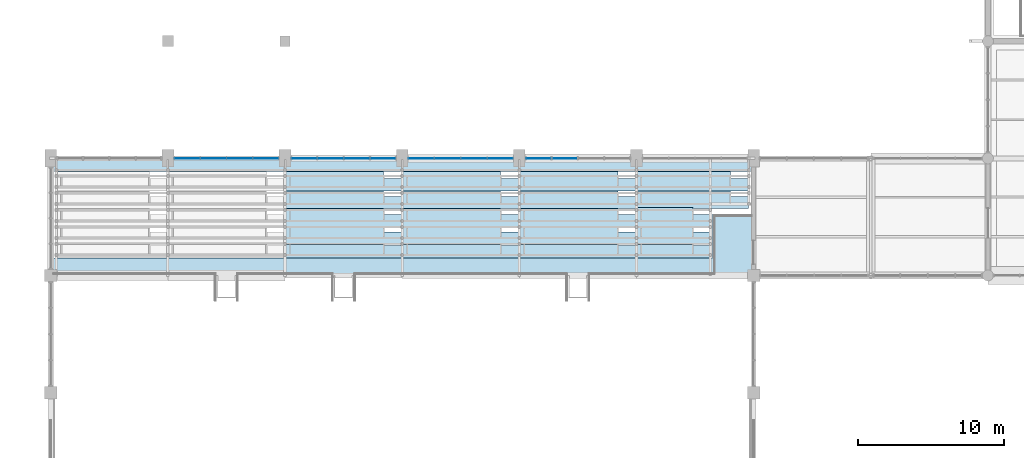
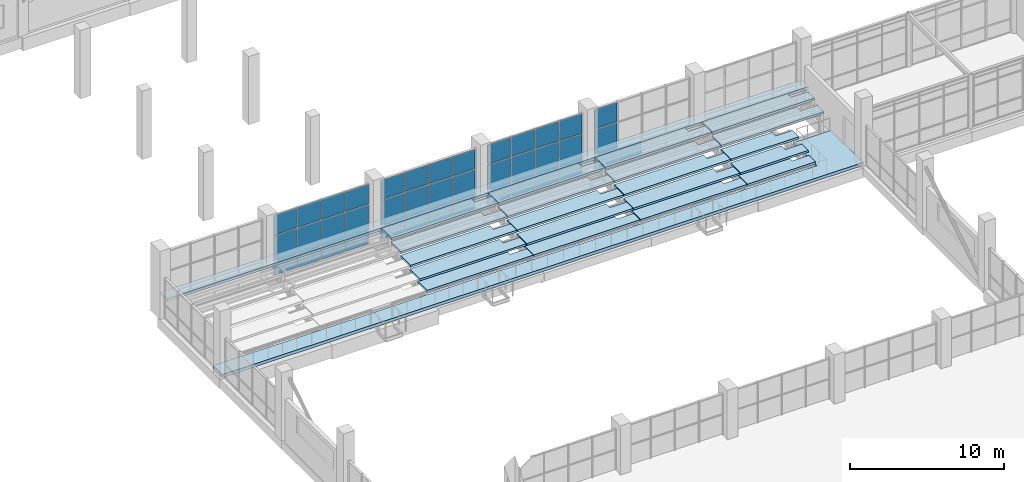
# One storey, part 72 of 122: 40 plates, 22 slabs, 4 elements without a shape of their own.
"""IFC4 building model written with IfcOpenShell, lengths in metres."""

from ifc_helpers import new_model, si_unit, direction, frame, origin, origin_2d, place, context, subcontext, project, spatial, polyline, rectangle, outline, extrude, material, layer, layer_set, type_object, element, aggregate, save


model = new_model("IFC4")

# Units and contexts
model_context = context("Model", 3, precision=1e-05, world=origin(), true_north=direction((0.0, 1.0)))
body_context = subcontext(model_context, "Body", "Model", "MODEL_VIEW")
ifc_project = project(units=[si_unit("LENGTHUNIT", "METRE"), si_unit("AREAUNIT", "SQUARE_METRE"), si_unit("VOLUMEUNIT", "CUBIC_METRE"), si_unit("PLANEANGLEUNIT", "RADIAN"), si_unit("MASSUNIT", "GRAM", prefix="KILO")], contexts=[model_context])

# Site, building, storey
site_placement = place(None, origin())
site = spatial("IfcSite", under=ifc_project, at=site_placement, CompositionType="ELEMENT")
building_placement = place(site_placement, origin())
building = spatial("IfcBuilding", under=site, at=building_placement, Name="Tenunan Teduh Sports Hall", CompositionType="ELEMENT")
storey_placement = place(building_placement, frame((0.0, 0.0, 5.39990234375)))
storey = spatial("IfcBuildingStorey", under=building, at=storey_placement, Name="L01", CompositionType="ELEMENT", Elevation=5.39990234375)

# Curtain wall, plates
ifc_material_1 = material(Name="Anodised aluminium", Category="aluminium")
curtain_wall_type = type_object("IfcCurtainWallType", Name="CW-UNIT-1", PredefinedType="NOTDEFINED", material=ifc_material_1)
curtain_wall_1_placement = place(storey_placement, origin())
curtain_wall_1 = element("IfcCurtainWall", 1, at=curtain_wall_1_placement, inside=storey, type_object=curtain_wall_type, Name="CW-CWM-150-L01-043", PredefinedType="NOTDEFINED")
ifc_material_2 = material(Name="Solar-control laminated glazing", Category="glass")
ifc_layer_1 = layer(ifc_material_2, 0.031982421875)
ifc_layer_set_1 = layer_set([ifc_layer_1], Name="Solar-control laminated glazing")
plate_type_1 = type_object("IfcPlateType", Name="CWP-GLZ-32", PredefinedType="CURTAIN_PANEL", material=ifc_layer_set_1)
plate_1_placement = place(storey_placement, frame((15.31494140625, 46.0, 1.130126953125), z_axis=(0.0, 0.0, 1.0), x_axis=(1.0, 0.0, 0.0)))
plate_1 = element("IfcPlate", 2, at=plate_1_placement, type_object=plate_type_1, Name="CW-01 panel 1.2", PredefinedType="CURTAIN_PANEL", context=body_context, shape_type="SweptSolid", body=[
    extrude(rectangle(XDim=1.7099609375, YDim=0.031982421875, at=origin_2d()), origin(), (0.0, 0.0, 1.0), 2.0400390625),
])
plate_2_placement = place(storey_placement, frame((15.31494140625, 46.0, 3.22998046875), z_axis=(0.0, 0.0, 1.0), x_axis=(1.0, 0.0, 0.0)))
plate_2 = element("IfcPlate", 3, at=plate_2_placement, type_object=plate_type_1, Name="CW-01 panel 1.3", PredefinedType="CURTAIN_PANEL", context=body_context, shape_type="SweptSolid", body=[
    extrude(rectangle(XDim=1.7099609375, YDim=0.031982421875, at=origin_2d()), origin(), (0.0, 0.0, 1.0), 1.56005859375),
])
plate_3_placement = place(storey_placement, frame((17.10009765625, 46.0, 1.130126953125), z_axis=(0.0, 0.0, 1.0), x_axis=(1.0, 0.0, 0.0)))
plate_3 = element("IfcPlate", 4, at=plate_3_placement, type_object=plate_type_1, Name="CW-01 panel 2.2", PredefinedType="CURTAIN_PANEL", context=body_context, shape_type="SweptSolid", body=[
    extrude(rectangle(XDim=1.739990234375, YDim=0.031982421875, at=origin_2d()), origin(), (0.0, 0.0, 1.0), 2.0400390625),
])
plate_4_placement = place(storey_placement, frame((17.10009765625, 46.0, 3.22998046875), z_axis=(0.0, 0.0, 1.0), x_axis=(1.0, 0.0, 0.0)))
plate_4 = element("IfcPlate", 5, at=plate_4_placement, type_object=plate_type_1, Name="CW-01 panel 2.3", PredefinedType="CURTAIN_PANEL", context=body_context, shape_type="SweptSolid", body=[
    extrude(rectangle(XDim=1.739990234375, YDim=0.031982421875, at=origin_2d()), origin(), (0.0, 0.0, 1.0), 1.56005859375),
])
plate_5_placement = place(storey_placement, frame((18.89990234375, 46.0, 1.130126953125), z_axis=(0.0, 0.0, 1.0), x_axis=(1.0, 0.0, 0.0)))
plate_5 = element("IfcPlate", 6, at=plate_5_placement, type_object=plate_type_1, Name="CW-01 panel 3.2", PredefinedType="CURTAIN_PANEL", context=body_context, shape_type="SweptSolid", body=[
    extrude(rectangle(XDim=1.739990234375, YDim=0.031982421875, at=origin_2d()), origin(), (0.0, 0.0, 1.0), 2.0400390625),
])
plate_6_placement = place(storey_placement, frame((18.89990234375, 46.0, 3.22998046875), z_axis=(0.0, 0.0, 1.0), x_axis=(1.0, 0.0, 0.0)))
plate_6 = element("IfcPlate", 7, at=plate_6_placement, type_object=plate_type_1, Name="CW-01 panel 3.3", PredefinedType="CURTAIN_PANEL", context=body_context, shape_type="SweptSolid", body=[
    extrude(rectangle(XDim=1.739990234375, YDim=0.031982421875, at=origin_2d()), origin(), (0.0, 0.0, 1.0), 1.56005859375),
])
plate_7_placement = place(storey_placement, frame((20.68505859375, 46.0, 1.130126953125), z_axis=(0.0, 0.0, 1.0), x_axis=(1.0, 0.0, 0.0)))
plate_7 = element("IfcPlate", 8, at=plate_7_placement, type_object=plate_type_1, Name="CW-01 panel 4.2", PredefinedType="CURTAIN_PANEL", context=body_context, shape_type="SweptSolid", body=[
    extrude(rectangle(XDim=1.7099609375, YDim=0.031982421875, at=origin_2d()), origin(), (0.0, 0.0, 1.0), 2.0400390625),
])
plate_8_placement = place(storey_placement, frame((20.68505859375, 46.0, 3.22998046875), z_axis=(0.0, 0.0, 1.0), x_axis=(1.0, 0.0, 0.0)))
plate_8 = element("IfcPlate", 9, at=plate_8_placement, type_object=plate_type_1, Name="CW-01 panel 4.3", PredefinedType="CURTAIN_PANEL", context=body_context, shape_type="SweptSolid", body=[
    extrude(rectangle(XDim=1.7099609375, YDim=0.031982421875, at=origin_2d()), origin(), (0.0, 0.0, 1.0), 1.56005859375),
])

curtain_wall_2_placement = place(storey_placement, origin())
curtain_wall_2 = element("IfcCurtainWall", 10, at=curtain_wall_2_placement, inside=storey, type_object=curtain_wall_type, Name="CW-CWM-220-L01-045", PredefinedType="NOTDEFINED")
plate_9_placement = place(storey_placement, frame((23.31884765625, 46.0, 1.1376953125), z_axis=(0.0, 0.0, 1.0), x_axis=(1.0, 0.0, 0.0)))
plate_9 = element("IfcPlate", 11, at=plate_9_placement, type_object=plate_type_1, Name="CW-01 panel 1.2", PredefinedType="CURTAIN_PANEL", context=body_context, shape_type="SweptSolid", body=[
    extrude(rectangle(XDim=1.6875, YDim=0.031982421875, at=origin_2d()), origin(), (0.0, 0.0, 1.0), 2.02490234375),
])
plate_10_placement = place(storey_placement, frame((23.31884765625, 46.0, 3.237548828125), z_axis=(0.0, 0.0, 1.0), x_axis=(1.0, 0.0, 0.0)))
plate_10 = element("IfcPlate", 12, at=plate_10_placement, type_object=plate_type_1, Name="CW-01 panel 1.3", PredefinedType="CURTAIN_PANEL", context=body_context, shape_type="SweptSolid", body=[
    extrude(rectangle(XDim=1.6875, YDim=0.031982421875, at=origin_2d()), origin(), (0.0, 0.0, 1.0), 1.53759765625),
])
plate_11_placement = place(storey_placement, frame((25.10009765625, 46.0, 1.1376953125), z_axis=(0.0, 0.0, 1.0), x_axis=(1.0, 0.0, 0.0)))
plate_11 = element("IfcPlate", 13, at=plate_11_placement, type_object=plate_type_1, Name="CW-01 panel 2.2", PredefinedType="CURTAIN_PANEL", context=body_context, shape_type="SweptSolid", body=[
    extrude(rectangle(XDim=1.72509765625, YDim=0.031982421875, at=origin_2d()), origin(), (0.0, 0.0, 1.0), 2.02490234375),
])
plate_12_placement = place(storey_placement, frame((25.10009765625, 46.0, 3.237548828125), z_axis=(0.0, 0.0, 1.0), x_axis=(1.0, 0.0, 0.0)))
plate_12 = element("IfcPlate", 14, at=plate_12_placement, type_object=plate_type_1, Name="CW-01 panel 2.3", PredefinedType="CURTAIN_PANEL", context=body_context, shape_type="SweptSolid", body=[
    extrude(rectangle(XDim=1.72509765625, YDim=0.031982421875, at=origin_2d()), origin(), (0.0, 0.0, 1.0), 1.53759765625),
])
plate_13_placement = place(storey_placement, frame((26.89990234375, 46.0, 1.1376953125), z_axis=(0.0, 0.0, 1.0), x_axis=(1.0, 0.0, 0.0)))
plate_13 = element("IfcPlate", 15, at=plate_13_placement, type_object=plate_type_1, Name="CW-01 panel 3.2", PredefinedType="CURTAIN_PANEL", context=body_context, shape_type="SweptSolid", body=[
    extrude(rectangle(XDim=1.72509765625, YDim=0.031982421875, at=origin_2d()), origin(), (0.0, 0.0, 1.0), 2.02490234375),
])
plate_14_placement = place(storey_placement, frame((26.89990234375, 46.0, 3.237548828125), z_axis=(0.0, 0.0, 1.0), x_axis=(1.0, 0.0, 0.0)))
plate_14 = element("IfcPlate", 16, at=plate_14_placement, type_object=plate_type_1, Name="CW-01 panel 3.3", PredefinedType="CURTAIN_PANEL", context=body_context, shape_type="SweptSolid", body=[
    extrude(rectangle(XDim=1.72509765625, YDim=0.031982421875, at=origin_2d()), origin(), (0.0, 0.0, 1.0), 1.53759765625),
])
plate_15_placement = place(storey_placement, frame((28.68115234375, 46.0, 1.1376953125), z_axis=(0.0, 0.0, 1.0), x_axis=(1.0, 0.0, 0.0)))
plate_15 = element("IfcPlate", 17, at=plate_15_placement, type_object=plate_type_1, Name="CW-01 panel 4.2", PredefinedType="CURTAIN_PANEL", context=body_context, shape_type="SweptSolid", body=[
    extrude(rectangle(XDim=1.6875, YDim=0.031982421875, at=origin_2d()), origin(), (0.0, 0.0, 1.0), 2.02490234375),
])
plate_16_placement = place(storey_placement, frame((28.68115234375, 46.0, 3.237548828125), z_axis=(0.0, 0.0, 1.0), x_axis=(1.0, 0.0, 0.0)))
plate_16 = element("IfcPlate", 18, at=plate_16_placement, type_object=plate_type_1, Name="CW-01 panel 4.3", PredefinedType="CURTAIN_PANEL", context=body_context, shape_type="SweptSolid", body=[
    extrude(rectangle(XDim=1.6875, YDim=0.031982421875, at=origin_2d()), origin(), (0.0, 0.0, 1.0), 1.53759765625),
])

curtain_wall_3_placement = place(storey_placement, origin())
curtain_wall_3 = element("IfcCurtainWall", 19, at=curtain_wall_3_placement, inside=storey, type_object=curtain_wall_type, Name="CW-CWM-150-L01-047", PredefinedType="NOTDEFINED")
plate_17_placement = place(storey_placement, frame((31.31494140625, 46.0, 1.130126953125), z_axis=(0.0, 0.0, 1.0), x_axis=(1.0, 0.0, 0.0)))
plate_17 = element("IfcPlate", 20, at=plate_17_placement, type_object=plate_type_1, Name="CW-01 panel 1.2", PredefinedType="CURTAIN_PANEL", context=body_context, shape_type="SweptSolid", body=[
    extrude(rectangle(XDim=1.7099609375, YDim=0.031982421875, at=origin_2d()), origin(), (0.0, 0.0, 1.0), 2.0400390625),
])
plate_18_placement = place(storey_placement, frame((31.31494140625, 46.0, 3.22998046875), z_axis=(0.0, 0.0, 1.0), x_axis=(1.0, 0.0, 0.0)))
plate_18 = element("IfcPlate", 21, at=plate_18_placement, type_object=plate_type_1, Name="CW-01 panel 1.3", PredefinedType="CURTAIN_PANEL", context=body_context, shape_type="SweptSolid", body=[
    extrude(rectangle(XDim=1.7099609375, YDim=0.031982421875, at=origin_2d()), origin(), (0.0, 0.0, 1.0), 1.56005859375),
])
plate_19_placement = place(storey_placement, frame((33.10009765625, 46.0, 1.130126953125), z_axis=(0.0, 0.0, 1.0), x_axis=(1.0, 0.0, 0.0)))
plate_19 = element("IfcPlate", 22, at=plate_19_placement, type_object=plate_type_1, Name="CW-01 panel 2.2", PredefinedType="CURTAIN_PANEL", context=body_context, shape_type="SweptSolid", body=[
    extrude(rectangle(XDim=1.739990234375, YDim=0.031982421875, at=origin_2d()), origin(), (0.0, 0.0, 1.0), 2.0400390625),
])
plate_20_placement = place(storey_placement, frame((33.10009765625, 46.0, 3.22998046875), z_axis=(0.0, 0.0, 1.0), x_axis=(1.0, 0.0, 0.0)))
plate_20 = element("IfcPlate", 23, at=plate_20_placement, type_object=plate_type_1, Name="CW-01 panel 2.3", PredefinedType="CURTAIN_PANEL", context=body_context, shape_type="SweptSolid", body=[
    extrude(rectangle(XDim=1.739990234375, YDim=0.031982421875, at=origin_2d()), origin(), (0.0, 0.0, 1.0), 1.56005859375),
])
plate_21_placement = place(storey_placement, frame((34.89990234375, 46.0, 1.130126953125), z_axis=(0.0, 0.0, 1.0), x_axis=(1.0, 0.0, 0.0)))
plate_21 = element("IfcPlate", 24, at=plate_21_placement, type_object=plate_type_1, Name="CW-01 panel 3.2", PredefinedType="CURTAIN_PANEL", context=body_context, shape_type="SweptSolid", body=[
    extrude(rectangle(XDim=1.739990234375, YDim=0.031982421875, at=origin_2d()), origin(), (0.0, 0.0, 1.0), 2.0400390625),
])
plate_22_placement = place(storey_placement, frame((34.89990234375, 46.0, 3.22998046875), z_axis=(0.0, 0.0, 1.0), x_axis=(1.0, 0.0, 0.0)))
plate_22 = element("IfcPlate", 25, at=plate_22_placement, type_object=plate_type_1, Name="CW-01 panel 3.3", PredefinedType="CURTAIN_PANEL", context=body_context, shape_type="SweptSolid", body=[
    extrude(rectangle(XDim=1.739990234375, YDim=0.031982421875, at=origin_2d()), origin(), (0.0, 0.0, 1.0), 1.56005859375),
])
plate_23_placement = place(storey_placement, frame((36.68505859375, 46.0, 1.130126953125), z_axis=(0.0, 0.0, 1.0), x_axis=(1.0, 0.0, 0.0)))
plate_23 = element("IfcPlate", 26, at=plate_23_placement, type_object=plate_type_1, Name="CW-01 panel 4.2", PredefinedType="CURTAIN_PANEL", context=body_context, shape_type="SweptSolid", body=[
    extrude(rectangle(XDim=1.7099609375, YDim=0.031982421875, at=origin_2d()), origin(), (0.0, 0.0, 1.0), 2.0400390625),
])
plate_24_placement = place(storey_placement, frame((36.68505859375, 46.0, 3.22998046875), z_axis=(0.0, 0.0, 1.0), x_axis=(1.0, 0.0, 0.0)))
plate_24 = element("IfcPlate", 27, at=plate_24_placement, type_object=plate_type_1, Name="CW-01 panel 4.3", PredefinedType="CURTAIN_PANEL", context=body_context, shape_type="SweptSolid", body=[
    extrude(rectangle(XDim=1.7099609375, YDim=0.031982421875, at=origin_2d()), origin(), (0.0, 0.0, 1.0), 1.56005859375),
])

curtain_wall_4_placement = place(storey_placement, origin())
curtain_wall_4 = element("IfcCurtainWall", 28, at=curtain_wall_4_placement, inside=storey, type_object=curtain_wall_type, Name="CW-CWM-220-L01-049", PredefinedType="NOTDEFINED")
plate_25_placement = place(storey_placement, frame((39.31884765625, 46.0, 1.1376953125), z_axis=(0.0, 0.0, 1.0), x_axis=(1.0, 0.0, 0.0)))
plate_25 = element("IfcPlate", 29, at=plate_25_placement, type_object=plate_type_1, Name="CW-01 panel 1.2", PredefinedType="CURTAIN_PANEL", context=body_context, shape_type="SweptSolid", body=[
    extrude(rectangle(XDim=1.6875, YDim=0.031982421875, at=origin_2d()), origin(), (0.0, 0.0, 1.0), 2.02490234375),
])
plate_26_placement = place(storey_placement, frame((39.31884765625, 46.0, 3.237548828125), z_axis=(0.0, 0.0, 1.0), x_axis=(1.0, 0.0, 0.0)))
plate_26 = element("IfcPlate", 30, at=plate_26_placement, type_object=plate_type_1, Name="CW-01 panel 1.3", PredefinedType="CURTAIN_PANEL", context=body_context, shape_type="SweptSolid", body=[
    extrude(rectangle(XDim=1.6875, YDim=0.031982421875, at=origin_2d()), origin(), (0.0, 0.0, 1.0), 1.53759765625),
])

# Plate
ifc_material_3 = material(Name="Insulated aluminium spandrel panel", Category="aluminium")
ifc_layer_2 = layer(ifc_material_3, 0.044921875)
ifc_layer_set_2 = layer_set([ifc_layer_2], Name="Insulated aluminium spandrel panel")
plate_type_2 = type_object("IfcPlateType", Name="CWP-SPN-45", PredefinedType="CURTAIN_PANEL", material=ifc_layer_set_2)
plate_27_placement = place(storey_placement, frame((15.31494140625, 46.0, 0.06005859375), z_axis=(0.0, 0.0, 1.0), x_axis=(1.0, 0.0, 0.0)))
plate_27 = element("IfcPlate", 31, at=plate_27_placement, type_object=plate_type_2, Name="CW-01 panel 1.1", PredefinedType="CURTAIN_PANEL", context=body_context, shape_type="SweptSolid", body=[
    extrude(rectangle(XDim=1.7099609375, YDim=0.031982421875, at=origin_2d()), origin(), (0.0, 0.0, 1.0), 1.010009765625),
])

plate_28_placement = place(storey_placement, frame((17.10009765625, 46.0, 0.06005859375), z_axis=(0.0, 0.0, 1.0), x_axis=(1.0, 0.0, 0.0)))
plate_28 = element("IfcPlate", 32, at=plate_28_placement, type_object=plate_type_2, Name="CW-01 panel 2.1", PredefinedType="CURTAIN_PANEL", context=body_context, shape_type="SweptSolid", body=[
    extrude(rectangle(XDim=1.739990234375, YDim=0.031982421875, at=origin_2d()), origin(), (0.0, 0.0, 1.0), 1.010009765625),
])

plate_29_placement = place(storey_placement, frame((18.89990234375, 46.0, 0.06005859375), z_axis=(0.0, 0.0, 1.0), x_axis=(1.0, 0.0, 0.0)))
plate_29 = element("IfcPlate", 33, at=plate_29_placement, type_object=plate_type_2, Name="CW-01 panel 3.1", PredefinedType="CURTAIN_PANEL", context=body_context, shape_type="SweptSolid", body=[
    extrude(rectangle(XDim=1.739990234375, YDim=0.031982421875, at=origin_2d()), origin(), (0.0, 0.0, 1.0), 1.010009765625),
])

plate_30_placement = place(storey_placement, frame((20.68505859375, 46.0, 0.06005859375), z_axis=(0.0, 0.0, 1.0), x_axis=(1.0, 0.0, 0.0)))
plate_30 = element("IfcPlate", 34, at=plate_30_placement, type_object=plate_type_2, Name="CW-01 panel 4.1", PredefinedType="CURTAIN_PANEL", context=body_context, shape_type="SweptSolid", body=[
    extrude(rectangle(XDim=1.7099609375, YDim=0.031982421875, at=origin_2d()), origin(), (0.0, 0.0, 1.0), 1.010009765625),
])

aggregate(curtain_wall_1, [plate_27, plate_1, plate_2, plate_28, plate_3, plate_4, plate_29, plate_5, plate_6, plate_30, plate_7, plate_8])

plate_31_placement = place(storey_placement, frame((23.31884765625, 46.0, 0.0751953125), z_axis=(0.0, 0.0, 1.0), x_axis=(1.0, 0.0, 0.0)))
plate_31 = element("IfcPlate", 35, at=plate_31_placement, type_object=plate_type_2, Name="CW-01 panel 1.1", PredefinedType="CURTAIN_PANEL", context=body_context, shape_type="SweptSolid", body=[
    extrude(rectangle(XDim=1.6875, YDim=0.031982421875, at=origin_2d()), origin(), (0.0, 0.0, 1.0), 0.987548828125),
])

plate_32_placement = place(storey_placement, frame((25.10009765625, 46.0, 0.0751953125), z_axis=(0.0, 0.0, 1.0), x_axis=(1.0, 0.0, 0.0)))
plate_32 = element("IfcPlate", 36, at=plate_32_placement, type_object=plate_type_2, Name="CW-01 panel 2.1", PredefinedType="CURTAIN_PANEL", context=body_context, shape_type="SweptSolid", body=[
    extrude(rectangle(XDim=1.72509765625, YDim=0.031982421875, at=origin_2d()), origin(), (0.0, 0.0, 1.0), 0.987548828125),
])

plate_33_placement = place(storey_placement, frame((26.89990234375, 46.0, 0.0751953125), z_axis=(0.0, 0.0, 1.0), x_axis=(1.0, 0.0, 0.0)))
plate_33 = element("IfcPlate", 37, at=plate_33_placement, type_object=plate_type_2, Name="CW-01 panel 3.1", PredefinedType="CURTAIN_PANEL", context=body_context, shape_type="SweptSolid", body=[
    extrude(rectangle(XDim=1.72509765625, YDim=0.031982421875, at=origin_2d()), origin(), (0.0, 0.0, 1.0), 0.987548828125),
])

plate_34_placement = place(storey_placement, frame((28.68115234375, 46.0, 0.0751953125), z_axis=(0.0, 0.0, 1.0), x_axis=(1.0, 0.0, 0.0)))
plate_34 = element("IfcPlate", 38, at=plate_34_placement, type_object=plate_type_2, Name="CW-01 panel 4.1", PredefinedType="CURTAIN_PANEL", context=body_context, shape_type="SweptSolid", body=[
    extrude(rectangle(XDim=1.6875, YDim=0.031982421875, at=origin_2d()), origin(), (0.0, 0.0, 1.0), 0.987548828125),
])

aggregate(curtain_wall_2, [plate_31, plate_9, plate_10, plate_32, plate_11, plate_12, plate_33, plate_13, plate_14, plate_34, plate_15, plate_16])

plate_35_placement = place(storey_placement, frame((31.31494140625, 46.0, 0.06005859375), z_axis=(0.0, 0.0, 1.0), x_axis=(1.0, 0.0, 0.0)))
plate_35 = element("IfcPlate", 39, at=plate_35_placement, type_object=plate_type_2, Name="CW-01 panel 1.1", PredefinedType="CURTAIN_PANEL", context=body_context, shape_type="SweptSolid", body=[
    extrude(rectangle(XDim=1.7099609375, YDim=0.031982421875, at=origin_2d()), origin(), (0.0, 0.0, 1.0), 1.010009765625),
])

plate_36_placement = place(storey_placement, frame((33.10009765625, 46.0, 0.06005859375), z_axis=(0.0, 0.0, 1.0), x_axis=(1.0, 0.0, 0.0)))
plate_36 = element("IfcPlate", 40, at=plate_36_placement, type_object=plate_type_2, Name="CW-01 panel 2.1", PredefinedType="CURTAIN_PANEL", context=body_context, shape_type="SweptSolid", body=[
    extrude(rectangle(XDim=1.739990234375, YDim=0.031982421875, at=origin_2d()), origin(), (0.0, 0.0, 1.0), 1.010009765625),
])

plate_37_placement = place(storey_placement, frame((34.89990234375, 46.0, 0.06005859375), z_axis=(0.0, 0.0, 1.0), x_axis=(1.0, 0.0, 0.0)))
plate_37 = element("IfcPlate", 41, at=plate_37_placement, type_object=plate_type_2, Name="CW-01 panel 3.1", PredefinedType="CURTAIN_PANEL", context=body_context, shape_type="SweptSolid", body=[
    extrude(rectangle(XDim=1.739990234375, YDim=0.031982421875, at=origin_2d()), origin(), (0.0, 0.0, 1.0), 1.010009765625),
])

plate_38_placement = place(storey_placement, frame((36.68505859375, 46.0, 0.06005859375), z_axis=(0.0, 0.0, 1.0), x_axis=(1.0, 0.0, 0.0)))
plate_38 = element("IfcPlate", 42, at=plate_38_placement, type_object=plate_type_2, Name="CW-01 panel 4.1", PredefinedType="CURTAIN_PANEL", context=body_context, shape_type="SweptSolid", body=[
    extrude(rectangle(XDim=1.7099609375, YDim=0.031982421875, at=origin_2d()), origin(), (0.0, 0.0, 1.0), 1.010009765625),
])

aggregate(curtain_wall_3, [plate_35, plate_17, plate_18, plate_36, plate_19, plate_20, plate_37, plate_21, plate_22, plate_38, plate_23, plate_24])

plate_39_placement = place(storey_placement, frame((39.31884765625, 46.0, 0.0751953125), z_axis=(0.0, 0.0, 1.0), x_axis=(1.0, 0.0, 0.0)))
plate_39 = element("IfcPlate", 43, at=plate_39_placement, type_object=plate_type_2, Name="CW-01 panel 1.1", PredefinedType="CURTAIN_PANEL", context=body_context, shape_type="SweptSolid", body=[
    extrude(rectangle(XDim=1.6875, YDim=0.031982421875, at=origin_2d()), origin(), (0.0, 0.0, 1.0), 0.987548828125),
])

plate_40_placement = place(storey_placement, frame((41.10009765625, 46.0, 0.0751953125), z_axis=(0.0, 0.0, 1.0), x_axis=(1.0, 0.0, 0.0)))
plate_40 = element("IfcPlate", 44, at=plate_40_placement, type_object=plate_type_2, Name="CW-01 panel 2.1", PredefinedType="CURTAIN_PANEL", context=body_context, shape_type="SweptSolid", body=[
    extrude(rectangle(XDim=1.72509765625, YDim=0.031982421875, at=origin_2d()), origin(), (0.0, 0.0, 1.0), 0.987548828125),
])

aggregate(curtain_wall_4, [plate_39, plate_25, plate_26, plate_40])

# Slabs
ifc_material_4 = material(Name="Concrete C40/50", Category="concrete")
ifc_layer_3 = layer(ifc_material_4, 0.219970703125)
ifc_layer_set_3 = layer_set([ifc_layer_3], Name="Concrete C40/50")
slab_type_1 = type_object("IfcSlabType", Name="SLB-FLR-220", PredefinedType="FLOOR", material=ifc_layer_set_3)
slab_1_placement = place(storey_placement, frame((0.0, 0.0, 1.47998046875)))
element("IfcSlab", 45, at=slab_1_placement, inside=storey, type_object=slab_type_1, Name="SL-RCON-V2-L01", PredefinedType="FLOOR", context=body_context, shape_type="SweptSolid", body=[
    extrude(outline(polyline([(6.0, 45.10009765625), (54.0, 45.10009765625), (54.0, 46.0), (6.0, 46.0), (6.0, 45.10009765625)])), origin(), (0.0, 0.0, 1.0), 0.22021484375),
])
ifc_material_5 = material(Name="Concrete C40/50", Category="concrete")
ifc_layer_4 = layer(ifc_material_5, 0.239990234375)
ifc_layer_set_4 = layer_set([ifc_layer_4], Name="Concrete C40/50")
slab_type_2 = type_object("IfcSlabType", Name="SLB-FLR-240", PredefinedType="FLOOR", material=ifc_layer_set_4)
slab_2_placement = place(storey_placement, frame((0.0, 0.0, -0.239990234375)))
element("IfcSlab", 46, at=slab_2_placement, inside=storey, type_object=slab_type_2, Name="SL-L01-V2-GAL", PredefinedType="FLOOR", context=body_context, shape_type="SweptSolid", body=[
    extrude(outline(polyline([(6.0, 38.0), (54.0, 38.0), (54.0, 42.199951171875), (51.199951171875, 42.199951171875), (51.199951171875, 39.199951171875), (6.0, 39.199951171875), (6.0, 38.0)])), origin(), (0.0, 0.0, 1.0), 0.239990234375),
])
ifc_material_6 = material(Name="Precast concrete C40/50", Category="concrete")
ifc_layer_5 = layer(ifc_material_6, 0.155029296875)
ifc_layer_set_5 = layer_set([ifc_layer_5], Name="Precast concrete C40/50")
slab_type_3 = type_object("IfcSlabType", Name="SLB-TIER-155", PredefinedType="USERDEFINED", material=ifc_layer_set_5)
slab_3_placement = place(storey_placement, frame((0.0, 0.0, 0.525146484375)))
element("IfcSlab", 47, at=slab_3_placement, inside=storey, type_object=slab_type_3, Name="SL-TIER-V2-L01-3-2", ObjectType="SEATING TIER", PredefinedType="USERDEFINED", context=body_context, shape_type="SweptSolid", body=[
    extrude(outline(polyline([(22.02001953125, 40.1201171875), (29.97998046875, 40.1201171875), (29.97998046875, 40.9599609375), (28.72998046875, 40.9599609375), (28.72998046875, 41.43994140625), (22.02001953125, 41.43994140625), (22.02001953125, 40.1201171875)])), origin(), (0.0, 0.0, 1.0), 0.155029296875),
])
slab_4_placement = place(storey_placement, frame((0.0, 0.0, 1.205078125)))
element("IfcSlab", 48, at=slab_4_placement, inside=storey, type_object=slab_type_3, Name="SL-TIER-V2-L01-3-4", ObjectType="SEATING TIER", PredefinedType="USERDEFINED", context=body_context, shape_type="SweptSolid", body=[
    extrude(outline(polyline([(22.02001953125, 42.56005859375), (29.97998046875, 42.56005859375), (29.97998046875, 43.39990234375), (28.72998046875, 43.39990234375), (28.72998046875, 43.8798828125), (22.02001953125, 43.8798828125), (22.02001953125, 42.56005859375)])), origin(), (0.0, 0.0, 1.0), 0.155029296875),
])
slab_5_placement = place(storey_placement, frame((0.0, 0.0, 0.525146484375)))
element("IfcSlab", 49, at=slab_5_placement, inside=storey, type_object=slab_type_3, Name="SL-TIER-V2-L01-4-2", ObjectType="SEATING TIER", PredefinedType="USERDEFINED", context=body_context, shape_type="SweptSolid", body=[
    extrude(outline(polyline([(30.02001953125, 40.1201171875), (37.97998046875, 40.1201171875), (37.97998046875, 40.9599609375), (36.72998046875, 40.9599609375), (36.72998046875, 41.43994140625), (30.02001953125, 41.43994140625), (30.02001953125, 40.1201171875)])), origin(), (0.0, 0.0, 1.0), 0.155029296875),
])
slab_6_placement = place(storey_placement, frame((0.0, 0.0, 1.205078125)))
element("IfcSlab", 50, at=slab_6_placement, inside=storey, type_object=slab_type_3, Name="SL-TIER-V2-L01-4-4", ObjectType="SEATING TIER", PredefinedType="USERDEFINED", context=body_context, shape_type="SweptSolid", body=[
    extrude(outline(polyline([(30.02001953125, 42.56005859375), (37.97998046875, 42.56005859375), (37.97998046875, 43.39990234375), (36.72998046875, 43.39990234375), (36.72998046875, 43.8798828125), (30.02001953125, 43.8798828125), (30.02001953125, 42.56005859375)])), origin(), (0.0, 0.0, 1.0), 0.155029296875),
])
slab_7_placement = place(storey_placement, frame((0.0, 0.0, 0.525146484375)))
element("IfcSlab", 51, at=slab_7_placement, inside=storey, type_object=slab_type_3, Name="SL-TIER-V2-L01-5-2", ObjectType="SEATING TIER", PredefinedType="USERDEFINED", context=body_context, shape_type="SweptSolid", body=[
    extrude(outline(polyline([(38.02001953125, 40.1201171875), (45.97998046875, 40.1201171875), (45.97998046875, 40.9599609375), (44.72998046875, 40.9599609375), (44.72998046875, 41.43994140625), (38.02001953125, 41.43994140625), (38.02001953125, 40.1201171875)])), origin(), (0.0, 0.0, 1.0), 0.155029296875),
])
slab_8_placement = place(storey_placement, frame((0.0, 0.0, 1.205078125)))
element("IfcSlab", 52, at=slab_8_placement, inside=storey, type_object=slab_type_3, Name="SL-TIER-V2-L01-5-4", ObjectType="SEATING TIER", PredefinedType="USERDEFINED", context=body_context, shape_type="SweptSolid", body=[
    extrude(outline(polyline([(38.02001953125, 42.56005859375), (45.97998046875, 42.56005859375), (45.97998046875, 43.39990234375), (44.72998046875, 43.39990234375), (44.72998046875, 43.8798828125), (38.02001953125, 43.8798828125), (38.02001953125, 42.56005859375)])), origin(), (0.0, 0.0, 1.0), 0.155029296875),
])
slab_9_placement = place(storey_placement, frame((0.0, 0.0, 0.525146484375)))
element("IfcSlab", 53, at=slab_9_placement, inside=storey, type_object=slab_type_3, Name="SL-TIER-V2-L01-6-2", ObjectType="SEATING TIER", PredefinedType="USERDEFINED", context=body_context, shape_type="SweptSolid", body=[
    extrude(outline(polyline([(46.02001953125, 40.1201171875), (51.10009765625, 40.1201171875), (51.10009765625, 40.9599609375), (49.85009765625, 40.9599609375), (49.85009765625, 41.43994140625), (46.02001953125, 41.43994140625), (46.02001953125, 40.1201171875)])), origin(), (0.0, 0.0, 1.0), 0.155029296875),
])
slab_10_placement = place(storey_placement, frame((0.0, 0.0, 1.205078125)))
element("IfcSlab", 54, at=slab_10_placement, inside=storey, type_object=slab_type_3, Name="SL-TIER-V2-L01-6-4", ObjectType="SEATING TIER", PredefinedType="USERDEFINED", context=body_context, shape_type="SweptSolid", body=[
    extrude(outline(polyline([(46.02001953125, 42.56005859375), (53.659912109375, 42.56005859375), (53.659912109375, 43.39990234375), (52.409912109375, 43.39990234375), (52.409912109375, 43.8798828125), (46.02001953125, 43.8798828125), (46.02001953125, 42.56005859375)])), origin(), (0.0, 0.0, 1.0), 0.155029296875),
])
ifc_material_7 = material(Name="Precast concrete C40/50", Category="concrete")
ifc_layer_6 = layer(ifc_material_7, 0.169921875)
ifc_layer_set_6 = layer_set([ifc_layer_6], Name="Precast concrete C40/50")
slab_type_4 = type_object("IfcSlabType", Name="SLB-TIER-170", PredefinedType="USERDEFINED", material=ifc_layer_set_6)
slab_11_placement = place(storey_placement, frame((0.0, 0.0, 0.170166015625)))
element("IfcSlab", 55, at=slab_11_placement, inside=storey, type_object=slab_type_4, Name="SL-TIER-V2-L01-3-1", ObjectType="SEATING TIER", PredefinedType="USERDEFINED", context=body_context, shape_type="SweptSolid", body=[
    extrude(outline(polyline([(22.02001953125, 39.199951171875), (29.97998046875, 39.199951171875), (29.97998046875, 40.0400390625), (28.72998046875, 40.0400390625), (28.72998046875, 40.52001953125), (22.02001953125, 40.52001953125), (22.02001953125, 39.199951171875)])), origin(), (0.0, 0.0, 1.0), 0.169921875),
])
slab_12_placement = place(storey_placement, frame((0.0, 0.0, 0.85009765625)))
element("IfcSlab", 56, at=slab_12_placement, inside=storey, type_object=slab_type_4, Name="SL-TIER-V2-L01-3-3", ObjectType="SEATING TIER", PredefinedType="USERDEFINED", context=body_context, shape_type="SweptSolid", body=[
    extrude(outline(polyline([(22.02001953125, 41.340087890625), (29.97998046875, 41.340087890625), (29.97998046875, 42.179931640625), (28.72998046875, 42.179931640625), (28.72998046875, 42.659912109375), (22.02001953125, 42.659912109375), (22.02001953125, 41.340087890625)])), origin(), (0.0, 0.0, 1.0), 0.169921875),
])
slab_13_placement = place(storey_placement, frame((0.0, 0.0, 1.530029296875)))
element("IfcSlab", 57, at=slab_13_placement, inside=storey, type_object=slab_type_4, Name="SL-TIER-V2-L01-3-5", ObjectType="SEATING TIER", PredefinedType="USERDEFINED", context=body_context, shape_type="SweptSolid", body=[
    extrude(outline(polyline([(22.02001953125, 43.780029296875), (29.97998046875, 43.780029296875), (29.97998046875, 44.6201171875), (28.72998046875, 44.6201171875), (28.72998046875, 45.10009765625), (22.02001953125, 45.10009765625), (22.02001953125, 43.780029296875)])), origin(), (0.0, 0.0, 1.0), 0.170166015625),
])
slab_14_placement = place(storey_placement, frame((0.0, 0.0, 0.170166015625)))
element("IfcSlab", 58, at=slab_14_placement, inside=storey, type_object=slab_type_4, Name="SL-TIER-V2-L01-4-1", ObjectType="SEATING TIER", PredefinedType="USERDEFINED", context=body_context, shape_type="SweptSolid", body=[
    extrude(outline(polyline([(30.02001953125, 39.199951171875), (37.97998046875, 39.199951171875), (37.97998046875, 40.0400390625), (36.72998046875, 40.0400390625), (36.72998046875, 40.52001953125), (30.02001953125, 40.52001953125), (30.02001953125, 39.199951171875)])), origin(), (0.0, 0.0, 1.0), 0.169921875),
])
slab_15_placement = place(storey_placement, frame((0.0, 0.0, 0.85009765625)))
element("IfcSlab", 59, at=slab_15_placement, inside=storey, type_object=slab_type_4, Name="SL-TIER-V2-L01-4-3", ObjectType="SEATING TIER", PredefinedType="USERDEFINED", context=body_context, shape_type="SweptSolid", body=[
    extrude(outline(polyline([(30.02001953125, 41.340087890625), (37.97998046875, 41.340087890625), (37.97998046875, 42.179931640625), (36.72998046875, 42.179931640625), (36.72998046875, 42.659912109375), (30.02001953125, 42.659912109375), (30.02001953125, 41.340087890625)])), origin(), (0.0, 0.0, 1.0), 0.169921875),
])
slab_16_placement = place(storey_placement, frame((0.0, 0.0, 1.530029296875)))
element("IfcSlab", 60, at=slab_16_placement, inside=storey, type_object=slab_type_4, Name="SL-TIER-V2-L01-4-5", ObjectType="SEATING TIER", PredefinedType="USERDEFINED", context=body_context, shape_type="SweptSolid", body=[
    extrude(outline(polyline([(30.02001953125, 43.780029296875), (37.97998046875, 43.780029296875), (37.97998046875, 44.6201171875), (36.72998046875, 44.6201171875), (36.72998046875, 45.10009765625), (30.02001953125, 45.10009765625), (30.02001953125, 43.780029296875)])), origin(), (0.0, 0.0, 1.0), 0.170166015625),
])
slab_17_placement = place(storey_placement, frame((0.0, 0.0, 0.170166015625)))
element("IfcSlab", 61, at=slab_17_placement, inside=storey, type_object=slab_type_4, Name="SL-TIER-V2-L01-5-1", ObjectType="SEATING TIER", PredefinedType="USERDEFINED", context=body_context, shape_type="SweptSolid", body=[
    extrude(outline(polyline([(38.02001953125, 39.199951171875), (45.97998046875, 39.199951171875), (45.97998046875, 40.0400390625), (44.72998046875, 40.0400390625), (44.72998046875, 40.52001953125), (38.02001953125, 40.52001953125), (38.02001953125, 39.199951171875)])), origin(), (0.0, 0.0, 1.0), 0.169921875),
])
slab_18_placement = place(storey_placement, frame((0.0, 0.0, 0.85009765625)))
element("IfcSlab", 62, at=slab_18_placement, inside=storey, type_object=slab_type_4, Name="SL-TIER-V2-L01-5-3", ObjectType="SEATING TIER", PredefinedType="USERDEFINED", context=body_context, shape_type="SweptSolid", body=[
    extrude(outline(polyline([(38.02001953125, 41.340087890625), (45.97998046875, 41.340087890625), (45.97998046875, 42.179931640625), (44.72998046875, 42.179931640625), (44.72998046875, 42.659912109375), (38.02001953125, 42.659912109375), (38.02001953125, 41.340087890625)])), origin(), (0.0, 0.0, 1.0), 0.169921875),
])
slab_19_placement = place(storey_placement, frame((0.0, 0.0, 1.530029296875)))
element("IfcSlab", 63, at=slab_19_placement, inside=storey, type_object=slab_type_4, Name="SL-TIER-V2-L01-5-5", ObjectType="SEATING TIER", PredefinedType="USERDEFINED", context=body_context, shape_type="SweptSolid", body=[
    extrude(outline(polyline([(38.02001953125, 43.780029296875), (45.97998046875, 43.780029296875), (45.97998046875, 44.6201171875), (44.72998046875, 44.6201171875), (44.72998046875, 45.10009765625), (38.02001953125, 45.10009765625), (38.02001953125, 43.780029296875)])), origin(), (0.0, 0.0, 1.0), 0.170166015625),
])
slab_20_placement = place(storey_placement, frame((0.0, 0.0, 0.170166015625)))
element("IfcSlab", 64, at=slab_20_placement, inside=storey, type_object=slab_type_4, Name="SL-TIER-V2-L01-6-1", ObjectType="SEATING TIER", PredefinedType="USERDEFINED", context=body_context, shape_type="SweptSolid", body=[
    extrude(outline(polyline([(46.02001953125, 39.199951171875), (51.10009765625, 39.199951171875), (51.10009765625, 40.0400390625), (49.85009765625, 40.0400390625), (49.85009765625, 40.52001953125), (46.02001953125, 40.52001953125), (46.02001953125, 39.199951171875)])), origin(), (0.0, 0.0, 1.0), 0.169921875),
])
slab_21_placement = place(storey_placement, frame((0.0, 0.0, 0.85009765625)))
element("IfcSlab", 65, at=slab_21_placement, inside=storey, type_object=slab_type_4, Name="SL-TIER-V2-L01-6-3", ObjectType="SEATING TIER", PredefinedType="USERDEFINED", context=body_context, shape_type="SweptSolid", body=[
    extrude(outline(polyline([(46.02001953125, 41.340087890625), (51.10009765625, 41.340087890625), (51.10009765625, 42.179931640625), (49.85009765625, 42.179931640625), (49.85009765625, 42.659912109375), (46.02001953125, 42.659912109375), (46.02001953125, 41.340087890625)])), origin(), (0.0, 0.0, 1.0), 0.169921875),
])
slab_22_placement = place(storey_placement, frame((0.0, 0.0, 1.530029296875)))
element("IfcSlab", 66, at=slab_22_placement, inside=storey, type_object=slab_type_4, Name="SL-TIER-V2-L01-6-5", ObjectType="SEATING TIER", PredefinedType="USERDEFINED", context=body_context, shape_type="SweptSolid", body=[
    extrude(outline(polyline([(46.02001953125, 43.780029296875), (53.659912109375, 43.780029296875), (53.659912109375, 44.6201171875), (52.409912109375, 44.6201171875), (52.409912109375, 45.10009765625), (46.02001953125, 45.10009765625), (46.02001953125, 43.780029296875)])), origin(), (0.0, 0.0, 1.0), 0.170166015625),
])

save(model, "model.ifc")
